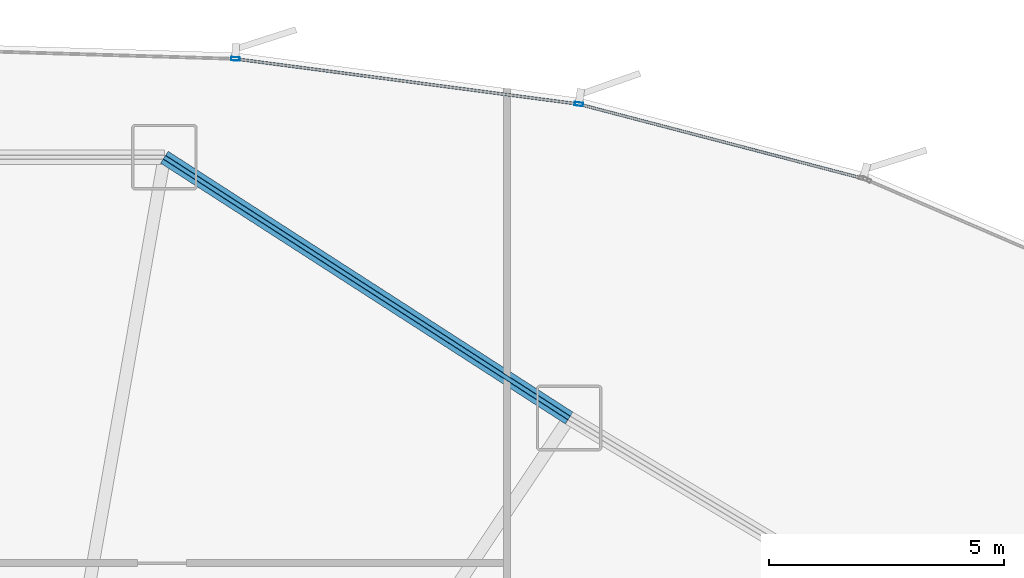
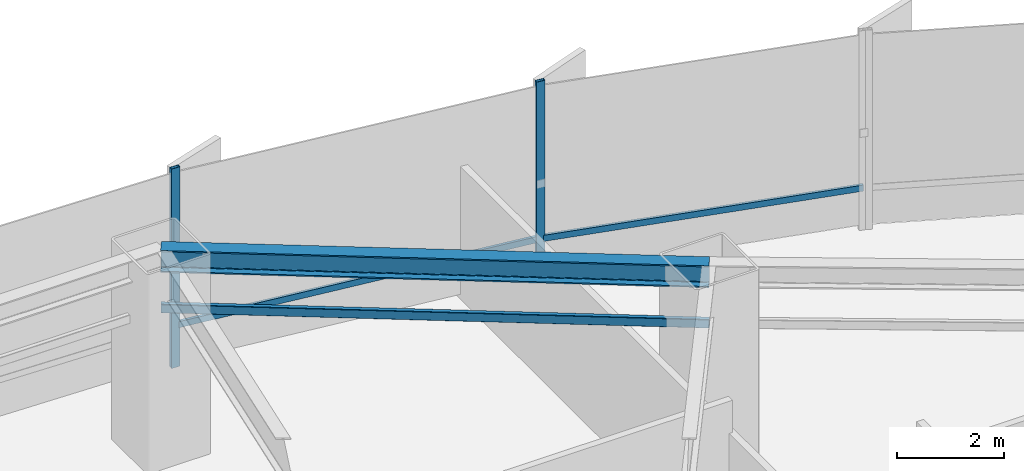
# One storey, part 15 of 34: 4 members, 2 beams, 1 element without a shape of its own.
"""IFC4 building model written with IfcOpenShell, lengths in metres."""

from ifc_helpers import new_model, si_unit, direction, frame, origin, origin_2d, place, context, subcontext, project, spatial, hollow_rectangle, i_section, extrude, source, transform, mapped, material, layer, layer_set, material_profile, profile_set, type_object, element, aggregate, save


model = new_model("IFC4")

# Units and contexts
model_context = context("Model", 3, precision=1e-05, world=origin(), true_north=direction((0.0, 1.0)))
body_context = subcontext(model_context, "Body", "Model", "MODEL_VIEW")
ifc_project = project(units=[si_unit("LENGTHUNIT", "METRE"), si_unit("AREAUNIT", "SQUARE_METRE"), si_unit("VOLUMEUNIT", "CUBIC_METRE"), si_unit("PLANEANGLEUNIT", "RADIAN"), si_unit("MASSUNIT", "GRAM", prefix="KILO"), si_unit("THERMODYNAMICTEMPERATUREUNIT", "KELVIN")], contexts=[model_context])

# Site, building, storey
site_placement = place(None, origin())
site = spatial("IfcSite", under=ifc_project, at=site_placement, CompositionType="ELEMENT")
building_placement = place(site_placement, origin())
building = spatial("IfcBuilding", under=site, at=building_placement, Name="Kethvar Cultural Tower", CompositionType="ELEMENT")
storey_placement = place(building_placement, frame((0.0, 0.0, 5.199951171875)))
storey = spatial("IfcBuildingStorey", under=building, at=storey_placement, Name="L01", CompositionType="ELEMENT", Elevation=5.199951171875)

# Beams
ifc_material_1 = material(Name="Steel S355J2", Category="steel")
ifc_material_profile_1 = material_profile(ifc_material_1, i_section(OverallWidth=0.300048828125, OverallDepth=0.5, WebThickness=0.014404296875, FlangeThickness=0.028076171875, FilletRadius=0.027099609375, at=origin_2d()), Name="Steel S355J2 — HEB500")
ifc_profile_set_1 = profile_set([ifc_material_profile_1], Name="Steel S355J2 — HEB500")
beam_type_1 = type_object("IfcBeamType", Name="BM-SP500", PredefinedType="SPANDREL", material=ifc_profile_set_1)
shared_shape_1 = source(origin(), body_context, "Body", "SweptSolid", [
    extrude(i_section(OverallWidth=0.300048828125, OverallDepth=0.5, WebThickness=0.014404296875, FlangeThickness=0.028076171875, FilletRadius=0.027099609375, at=origin_2d()), origin(), (0.0, 0.0, 1.0), 10.260009765625),
])
beam_1_placement = place(storey_placement, frame((59.824951171875, 47.293212890625, 4.298095703125), z_axis=(-0.840635315951, 0.541601574569, 0.0), x_axis=(-0.541601574569, -0.840635315951, 0.0)))
element("IfcBeam", 1, at=beam_1_placement, inside=storey, type_object=beam_type_1, Name="L01 Podium Ring Beam 03", PredefinedType="SPANDREL", context=body_context, shape_type="MappedRepresentation", body=[
    mapped(shared_shape_1, transform((0.0, 0.0, 0.0), scale=1.0)),
])
ifc_material_profile_2 = material_profile(ifc_material_1, hollow_rectangle(XDim=0.10009765625, YDim=0.199951171875, WallThickness=0.008056640625, InnerFilletRadius=0.008056640625, OuterFilletRadius=0.01611328125, at=origin_2d()), Name="Steel S355J2 — RHS200x100x8")
ifc_profile_set_2 = profile_set([ifc_material_profile_2], Name="Steel S355J2 — RHS200x100x8")
beam_type_2 = type_object("IfcBeamType", Name="BM-LN200", PredefinedType="LINTEL", material=ifc_profile_set_2)
shared_shape_2 = source(origin(), body_context, "Body", "SweptSolid", [
    extrude(hollow_rectangle(XDim=0.10009765625, YDim=0.199951171875, WallThickness=0.008056640625, InnerFilletRadius=0.008056640625, OuterFilletRadius=0.01611328125, at=origin_2d()), origin(), (0.0, 0.0, 1.0), 10.260009765625),
])
beam_2_placement = place(storey_placement, frame((59.824951171875, 47.293212890625, 3.150146484375), z_axis=(-0.840635315951, 0.541601574569, 0.0), x_axis=(-0.541601574569, -0.840635315951, 0.0)))
element("IfcBeam", 2, at=beam_2_placement, inside=storey, type_object=beam_type_2, Name="L01 Header Lintel LN-09", PredefinedType="LINTEL", context=body_context, shape_type="MappedRepresentation", body=[
    mapped(shared_shape_2, transform((0.0, 0.0, 0.0), scale=1.0)),
])

# Curtain wall, members
ifc_material_2 = material(Name="Aluminium 6063-T6", Category="aluminium")
ifc_layer = layer(ifc_material_2, 0.179931640625, Name="Aluminium 6063-T6", Category="aluminium")
ifc_layer_set = layer_set([ifc_layer], Name="Aluminium 6063-T6 (180 mm)")
curtain_wall_type = type_object("IfcCurtainWallType", Name="CW-SYS-01-POD", PredefinedType="NOTDEFINED", material=ifc_layer_set)
curtain_wall_placement = place(storey_placement, origin())
curtain_wall = element("IfcCurtainWall", 3, at=curtain_wall_placement, inside=storey, type_object=curtain_wall_type, Name="L01 Curtain Wall Run 02", PredefinedType="NOTDEFINED")
ifc_material_profile_3 = material_profile(ifc_material_2, hollow_rectangle(XDim=0.06005859375, YDim=0.139892578125, WallThickness=0.0048828125, at=origin_2d()), Name="Aluminium 6063-T6 — RHS140x60x5")
ifc_profile_set_3 = profile_set([ifc_material_profile_3], Name="Aluminium 6063-T6 — RHS140x60x5")
member_type_1 = type_object("IfcMemberType", Name="CW-SYS-01-POD-TRN", PredefinedType="USERDEFINED", material=ifc_profile_set_3)
shared_shape_3 = source(origin(), body_context, "Body", "SweptSolid", [
    extrude(hollow_rectangle(XDim=0.06005859375, YDim=0.139892578125, WallThickness=0.0048828125, at=origin_2d()), origin(), (0.0, 0.0, 1.0), 7.28955078125),
])
member_1_placement = place(storey_placement, frame((59.9794921875, 53.98876953125, 0.949951171875), z_axis=(-0.9914326226, 0.13061912128, 0.0), x_axis=(-0.13061912128, -0.9914326226, 0.0)))
member_1 = element("IfcMember", 4, at=member_1_placement, type_object=member_type_1, Name="CW-L01-R02 Transom 2", ObjectType="TRANSOM", PredefinedType="USERDEFINED", context=body_context, shape_type="MappedRepresentation", body=[
    mapped(shared_shape_3, transform((0.0, 0.0, 0.0), scale=1.0)),
])
shared_shape_4 = source(origin(), body_context, "Body", "SweptSolid", [
    extrude(hollow_rectangle(XDim=0.06005859375, YDim=0.139892578125, WallThickness=0.0048828125, at=origin_2d()), origin(), (0.0, 0.0, 1.0), 6.221435546875),
])
member_2_placement = place(storey_placement, frame((66.088134765625, 52.39697265625, 0.949951171875), z_axis=(-0.967458727109, 0.253028874519, 0.0), x_axis=(-0.253028874519, -0.967458727109, 0.0)))
member_2 = element("IfcMember", 5, at=member_2_placement, type_object=member_type_1, Name="CW-L01-R02 Transom 1", ObjectType="TRANSOM", PredefinedType="USERDEFINED", context=body_context, shape_type="MappedRepresentation", body=[
    mapped(shared_shape_4, transform((0.0, 0.0, 0.0), scale=1.0)),
])
ifc_material_profile_4 = material_profile(ifc_material_2, hollow_rectangle(XDim=0.074951171875, YDim=0.179931640625, WallThickness=0.006103515625, at=origin_2d()), Name="Aluminium 6063-T6 — RHS180x75x6")
ifc_profile_set_4 = profile_set([ifc_material_profile_4], Name="Aluminium 6063-T6 — RHS180x75x6")
member_type_2 = type_object("IfcMemberType", Name="CW-SYS-01-POD-MUL", PredefinedType="MULLION", material=ifc_profile_set_4)
shared_shape_5 = source(origin(), body_context, "Body", "SweptSolid", [
    extrude(hollow_rectangle(XDim=0.074951171875, YDim=0.179931640625, WallThickness=0.006103515625, at=origin_2d()), origin(), (0.0, 0.0, 1.0), 4.550048828125),
])
member_3_placement = place(storey_placement, frame((60.032958984375, 53.981689453125, 0.0), z_axis=(0.0, 0.0, 1.0), x_axis=(-0.130647319086, -0.991428907192, 0.0)))
member_3 = element("IfcMember", 6, at=member_3_placement, type_object=member_type_2, Name="CW-L01-R02 Mullion 2", PredefinedType="MULLION", context=body_context, shape_type="MappedRepresentation", body=[
    mapped(shared_shape_5, transform((0.0, 0.0, 0.0), scale=1.0)),
])
member_4_placement = place(storey_placement, frame((52.7119140625, 54.947021484375, 0.0), z_axis=(0.0, 0.0, 1.0), x_axis=(-0.030137272261, -0.999545769248, 0.0)))
member_4 = element("IfcMember", 7, at=member_4_placement, type_object=member_type_2, Name="CW-L01-R02 Mullion 3", PredefinedType="MULLION", context=body_context, shape_type="MappedRepresentation", body=[
    mapped(shared_shape_5, transform((0.0, 0.0, 0.0), scale=1.0)),
])
aggregate(curtain_wall, [member_3, member_4, member_2, member_1])

save(model, "model.ifc")
